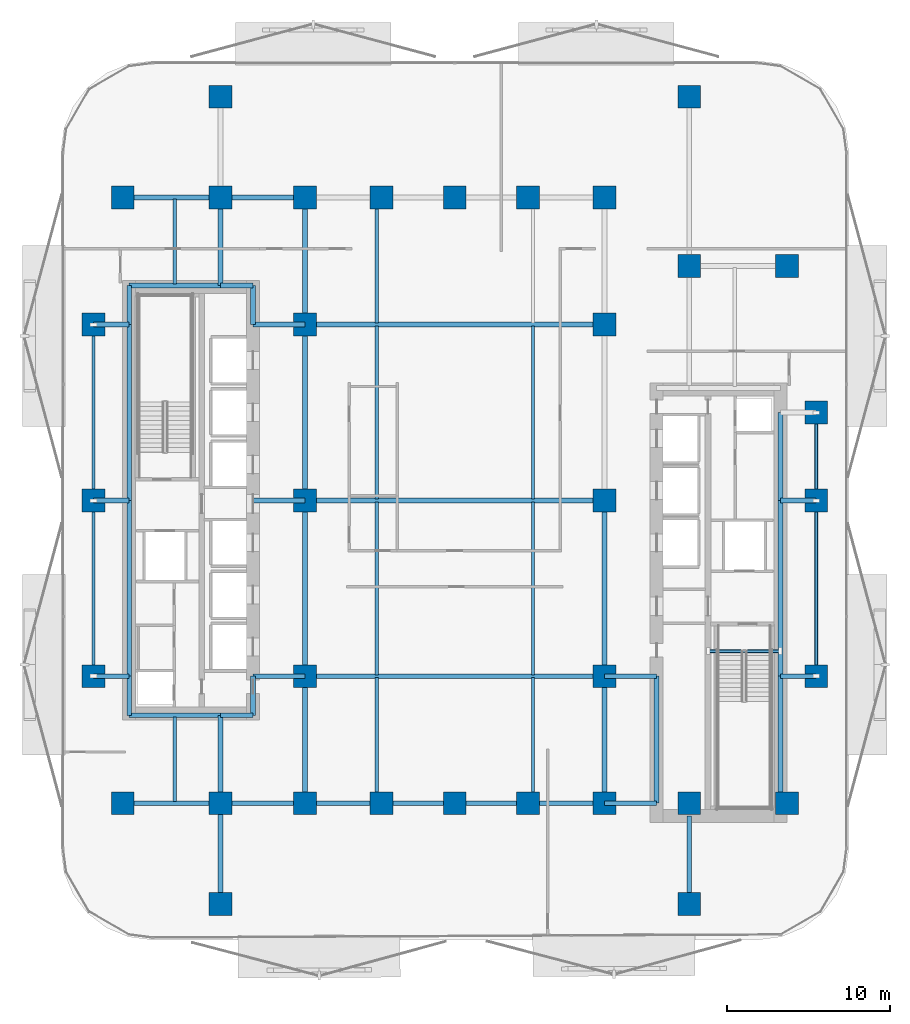
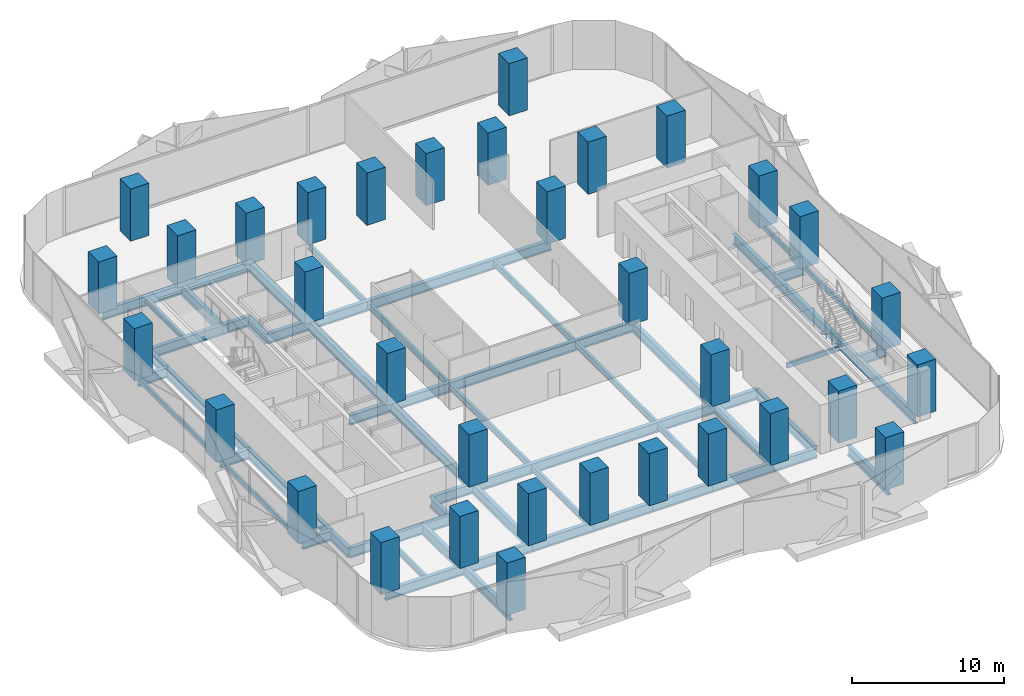
# One storey, part 1 of 15: 59 beams, 34 columns.
"""IFC4 building model written with IfcOpenShell, lengths in metres."""

import ifcopenshell
import ifcopenshell.guid

model = None  # the IFC model being written
_history = None  # IfcOwnerHistory: only IFC2X3 demands one
_inside = {}  # id of a spatial element -> (the spatial element, [elements in it])
_under = {}  # id of a project, library or spatial element -> (it, [spatial elements below it])
_declared = {}  # id of a project -> (the project, [libraries it declares])
_typed = {}  # id of a type object -> (the type object, [elements of that type])
_made_of = {}  # id of a material, layer set ... -> (it, [elements and type objects made of it])


def new_model(schema):
    """Start an empty IFC model of exactly this schema.

    Asked for "IFC4X3", IfcOpenShell would pick the latest addendum, in which some entities
    have other attributes; the version numbers below select the first issue.
    IFC2X3 requires an IfcOwnerHistory on every rooted entity: one is made here for all.
    """
    global model, _history
    if schema == "IFC4X3":
        model = ifcopenshell.file(schema_version=(4, 3, 0, 0))
    else:
        model = ifcopenshell.file(schema=schema)
    _inside.clear()
    _under.clear()
    _declared.clear()
    _typed.clear()
    _made_of.clear()
    _history = None
    if model.schema == "IFC2X3":
        org = make("IfcOrganization", Name="unknown")
        user = make(
            "IfcPersonAndOrganization",
            ThePerson=make("IfcPerson", FamilyName="unknown"),
            TheOrganization=org,
        )
        app = make(
            "IfcApplication",
            ApplicationDeveloper=org,
            Version="unknown",
            ApplicationFullName="unknown",
            ApplicationIdentifier="unknown",
        )
        _history = make(
            "IfcOwnerHistory",
            OwningUser=user,
            OwningApplication=app,
            ChangeAction="ADDED",
            CreationDate=0,
        )
    return model


def make(cls, **values):
    """One entity of the class cls with the attributes given. An attribute that is None is left unset."""
    return model.create_entity(
        cls, **{name: value for name, value in values.items() if value is not None}
    )


def rooted(cls, **values):
    """An entity with a GlobalId (a new one), such as an element, a storey or a relation."""
    return make(cls, GlobalId=ifcopenshell.guid.new(), OwnerHistory=_history, **values)


def si_unit(unit_type, name, prefix=None):
    """IfcSIUnit, for example si_unit("LENGTHUNIT", "METRE", prefix="MILLI")."""
    return make("IfcSIUnit", UnitType=unit_type, Prefix=prefix, Name=name)


def assignment(units):
    """IfcUnitAssignment: the units of a project."""
    return None if units is None else make("IfcUnitAssignment", Units=units)


def point(xyz):
    """IfcCartesianPoint."""
    return None if xyz is None else make("IfcCartesianPoint", Coordinates=xyz)


def direction(xyz):
    """IfcDirection."""
    return None if xyz is None else make("IfcDirection", DirectionRatios=xyz)


def frame(location, z_axis=None, x_axis=None):
    """IfcAxis2Placement3D, a coordinate frame: its origin and axes. An axis left out is left unset."""
    return make(
        "IfcAxis2Placement3D",
        Location=point(location),
        Axis=direction(z_axis),
        RefDirection=direction(x_axis),
    )


def frame_2d(location, x_axis=None):
    """IfcAxis2Placement2D, a coordinate frame in the plane: its origin and x axis."""
    return make(
        "IfcAxis2Placement2D", Location=point(location), RefDirection=direction(x_axis)
    )


def origin():
    """The frame at (0, 0, 0) with its axes left unset."""
    return frame((0.0, 0.0, 0.0))


def origin_2d():
    """The frame at (0, 0) in the plane with its x axis left unset."""
    return frame_2d((0.0, 0.0))


def place(relative_to, where):
    """IfcLocalPlacement: puts the frame where relative to a parent placement (None: the world)."""
    return make(
        "IfcLocalPlacement", PlacementRelTo=relative_to, RelativePlacement=where
    )


def context(
    kind, dimensions, precision=None, world=None, true_north=None, identifier=None
):
    """IfcGeometricRepresentationContext, for example the 3D "Model" context."""
    return make(
        "IfcGeometricRepresentationContext",
        ContextIdentifier=identifier,
        ContextType=kind,
        CoordinateSpaceDimension=dimensions,
        Precision=precision,
        WorldCoordinateSystem=world,
        TrueNorth=true_north,
    )


def subcontext(parent, identifier, kind, view, scale=None):
    """IfcGeometricRepresentationSubContext, for example "Body" below "Model"."""
    return make(
        "IfcGeometricRepresentationSubContext",
        ContextIdentifier=identifier,
        ContextType=kind,
        ParentContext=parent,
        TargetScale=scale,
        TargetView=view,
    )


def project(units=None, contexts=None):
    """IfcProject with its units and contexts."""
    return rooted(
        "IfcProject",
        Name="project",
        RepresentationContexts=contexts,
        UnitsInContext=assignment(units),
    )


def spatial(cls, under=None, at=None, **own):
    """A site, building, storey or space (cls), placed at a placement, below another one or the project."""
    s = rooted(cls, ObjectPlacement=at, **own)
    if under is not None:
        _under.setdefault(under.id(), (under, []))[1].append(s)
    return s


def profile(cls, at=None, kind="AREA", **sizes):
    """A parametric profile (cls). Its sizes go by their IFC names, for example OverallWidth=200.0."""
    return make(cls, ProfileType=kind, Position=at, **sizes)


def rectangle(**sizes):
    """IfcRectangleProfileDef."""
    return profile("IfcRectangleProfileDef", **sizes)


def hollow_rectangle(**sizes):
    """IfcRectangleHollowProfileDef."""
    return profile("IfcRectangleHollowProfileDef", **sizes)


def i_section(**sizes):
    """IfcIShapeProfileDef."""
    return profile("IfcIShapeProfileDef", **sizes)


def extrude(swept, where, along, depth):
    """IfcExtrudedAreaSolid: the profile swept, set in the frame where, extruded along a direction by depth."""
    return make(
        "IfcExtrudedAreaSolid",
        SweptArea=swept,
        Position=where,
        ExtrudedDirection=direction(along),
        Depth=depth,
    )


def shape(context_of_items, identifier, shape_type, items):
    """IfcShapeRepresentation: the items that make up one representation, for example the "Body"."""
    return make(
        "IfcShapeRepresentation",
        ContextOfItems=context_of_items,
        RepresentationIdentifier=identifier,
        RepresentationType=shape_type,
        Items=items,
    )


def material(Name=None, Category=None):
    """IfcMaterial."""
    return make("IfcMaterial", Name=Name, Category=Category)


def material_profile(
    of_material, cross_section, Name=None, Category=None, Priority=None
):
    """IfcMaterialProfile: a cross section and its material."""
    return make(
        "IfcMaterialProfile",
        Name=Name,
        Material=of_material,
        Profile=cross_section,
        Priority=Priority,
        Category=Category,
    )


def profile_set(profiles, Name=None, composite=None):
    """IfcMaterialProfileSet."""
    return make(
        "IfcMaterialProfileSet",
        Name=Name,
        MaterialProfiles=profiles,
        CompositeProfile=composite,
    )


def made_of(thing, what):
    """Note that an element or type object is made of a material, layer set ...; save() writes the relation."""
    if what is not None:
        _made_of.setdefault(what.id(), (what, []))[1].append(thing)
    return thing


def type_object(cls, material=None, **own):
    """A type object (cls), such as IfcWallType, which elements share."""
    return made_of(rooted(cls, **own), material)


def element(
    cls,
    number,
    at=None,
    inside=None,
    cuts=None,
    type_object=None,
    material=None,
    context=None,
    identifier="Body",
    shape_type=None,
    held_by="IfcProductDefinitionShape",
    body=None,
    shapes=None,
    **own,
):
    """One element of the class cls, such as IfcWall. Its Tag is "e" and its number.

    at: its placement. inside: the storey or other place that contains it. cuts: it is an
    opening in that element (IfcRelVoidsElement). A single representation is given by context,
    identifier, shape_type and body (its items); several are given by shapes. held_by: the class
    of the entity that holds the representations. save() writes the other relations.
    """
    e = rooted(cls, Tag="e%d" % number, ObjectPlacement=at, **own)
    if body is not None:
        shapes = [shape(context, identifier, shape_type, body)]
    if shapes is not None:
        e.Representation = make(held_by, Representations=shapes)
    if inside is not None:
        _inside.setdefault(inside.id(), (inside, []))[1].append(e)
    if cuts is not None:
        rooted(
            "IfcRelVoidsElement", RelatingBuildingElement=cuts, RelatedOpeningElement=e
        )
    if type_object is not None:
        _typed.setdefault(type_object.id(), (type_object, []))[1].append(e)
    return made_of(e, material)


def aggregate(whole, parts):
    """IfcRelAggregates: a whole, such as a stair, and the parts it consists of."""
    return rooted("IfcRelAggregates", RelatingObject=whole, RelatedObjects=parts)


def save(model, path):
    """Write the relations noted so far, then the file.

    IfcRelAggregates (storeys below a building ...), IfcRelContainedInSpatialStructure (elements
    in a storey), IfcRelDefinesByType, IfcRelAssociatesMaterial and IfcRelDeclares: one each for
    every whole, place, type object, material and project.
    """
    for whole, parts in _under.values():
        aggregate(whole, parts)
    for where, things in _inside.values():
        rooted(
            "IfcRelContainedInSpatialStructure",
            RelatedElements=things,
            RelatingStructure=where,
        )
    for kind, things in _typed.values():
        rooted("IfcRelDefinesByType", RelatedObjects=things, RelatingType=kind)
    for what, things in _made_of.values():
        rooted("IfcRelAssociatesMaterial", RelatedObjects=things, RelatingMaterial=what)
    for by, libraries in _declared.values():
        rooted("IfcRelDeclares", RelatingContext=by, RelatedDefinitions=libraries)
    model.write(path)


model = new_model("IFC4")

# Units and contexts
model_context = context("Model", 3, precision=1e-05, world=origin(), true_north=direction((0.0, 1.0)))
body_context = subcontext(model_context, "Body", "Model", "MODEL_VIEW")
ifc_project = project(units=[si_unit("LENGTHUNIT", "METRE"), si_unit("AREAUNIT", "SQUARE_METRE"), si_unit("VOLUMEUNIT", "CUBIC_METRE"), si_unit("PLANEANGLEUNIT", "RADIAN"), si_unit("MASSUNIT", "GRAM", prefix="KILO")], contexts=[model_context])

# Site, building, storey
site_placement = place(None, origin())
site = spatial("IfcSite", under=ifc_project, at=site_placement, CompositionType="ELEMENT")
building_placement = place(site_placement, origin())
building = spatial("IfcBuilding", under=site, at=building_placement, Name="Khairoan Windgate Tower", CompositionType="ELEMENT")
storey_placement = place(building_placement, frame((0.0, 0.0, 30.199951171875)))
storey = spatial("IfcBuildingStorey", under=building, at=storey_placement, Name="L07", CompositionType="ELEMENT", Elevation=30.199951171875)

# Columns
ifc_material_1 = material(Name="Concrete C60/75", Category="concrete")
ifc_material_profile_1 = material_profile(ifc_material_1, rectangle(XDim=1.39990234375, YDim=1.39990234375, at=origin_2d()))
ifc_profile_set_1 = profile_set([ifc_material_profile_1], Name="Concrete C60/75")
column_type = type_object("IfcColumnType", Name="Column C-T2 RC1400x1400", PredefinedType="COLUMN", material=ifc_profile_set_1)
for number, where, z_axis, x_axis, name in (
    (1, (-9.199951171875, -18.60009765625, 0.0), (0.0, 0.0, 1.0), (1.0, 0.0, 0.0), "Column L07-01"),
    (2, (-9.199951171875, -10.800048828125, 0.0), (0.0, 0.0, 1.0), (1.0, 0.0, 0.0), "Column L07-02"),
    (3, (-9.199951171875, 0.0, 0.0), (0.0, 0.0, 1.0), (1.0, 0.0, 0.0), "Column L07-03"),
    (4, (-9.199951171875, 10.800048828125, 0.0), (0.0, 0.0, 1.0), (1.0, 0.0, 0.0), "Column L07-04"),
    (5, (-9.199951171875, 18.60009765625, 0.0), (0.0, 0.0, 1.0), (1.0, 0.0, 0.0), "Column L07-05"),
    (6, (9.199951171875, -18.60009765625, 0.0), (0.0, 0.0, 1.0), (1.0, 0.0, 0.0), "Column L07-06"),
    (7, (9.199951171875, -10.800048828125, 0.0), (0.0, 0.0, 1.0), (1.0, 0.0, 0.0), "Column L07-07"),
    (8, (9.199951171875, 0.0, 0.0), (0.0, 0.0, 1.0), (1.0, 0.0, 0.0), "Column L07-08"),
    (9, (9.199951171875, 10.800048828125, 0.0), (0.0, 0.0, 1.0), (1.0, 0.0, 0.0), "Column L07-09"),
    (10, (9.199951171875, 18.60009765625, 0.0), (0.0, 0.0, 1.0), (1.0, 0.0, 0.0), "Column L07-10"),
    (11, (-20.39990234375, -18.60009765625, 0.0), (0.0, 0.0, 1.0), (1.0, 0.0, 0.0), "Column L07-11"),
    (12, (-20.39990234375, 18.60009765625, 0.0), (0.0, 0.0, 1.0), (1.0, 0.0, 0.0), "Column L07-12"),
    (13, (20.39990234375, -18.60009765625, 0.0), (0.0, 0.0, 1.0), (1.0, 0.0, 0.0), "Column L07-13"),
    (14, (20.39990234375, 14.39990234375, 0.0), (0.0, 0.0, 1.0), (1.0, 0.0, 0.0), "Column L07-14"),
    (15, (-14.39990234375, -18.60009765625, 0.0), (0.0, 0.0, 1.0), (1.0, 0.0, 0.0), "Column L07-15"),
    (16, (-14.39990234375, 18.60009765625, 0.0), (0.0, 0.0, 1.0), (1.0, 0.0, 0.0), "Column L07-16"),
    (17, (14.39990234375, -18.60009765625, 0.0), (0.0, 0.0, 1.0), (1.0, 0.0, 0.0), "Column L07-17"),
    (18, (14.39990234375, 14.39990234375, 0.0), (0.0, 0.0, 1.0), (1.0, 0.0, 0.0), "Column L07-18"),
    (19, (-4.5, -18.60009765625, 0.0), (0.0, 0.0, 1.0), (1.0, 0.0, 0.0), "Column L07-19"),
    (20, (0.0, -18.60009765625, 0.0), (0.0, 0.0, 1.0), (1.0, 0.0, 0.0), "Column L07-20"),
    (21, (4.5, -18.60009765625, 0.0), (0.0, 0.0, 1.0), (1.0, 0.0, 0.0), "Column L07-21"),
    (22, (-4.5, 18.60009765625, 0.0), (0.0, 0.0, 1.0), (1.0, 0.0, 0.0), "Column L07-22"),
    (23, (0.0, 18.60009765625, 0.0), (0.0, 0.0, 1.0), (1.0, 0.0, 0.0), "Column L07-23"),
    (24, (4.5, 18.60009765625, 0.0), (0.0, 0.0, 1.0), (1.0, 0.0, 0.0), "Column L07-24"),
    (25, (-22.199951171875, -10.800048828125, 0.0), (0.0, 0.0, 1.0), (1.0, 0.0, 0.0), "Column L07-25"),
    (26, (-22.199951171875, 0.0, 0.0), (0.0, 0.0, 1.0), (1.0, 0.0, 0.0), "Column L07-26"),
    (27, (-22.199951171875, 10.800048828125, 0.0), (0.0, 0.0, 1.0), (1.0, 0.0, 0.0), "Column L07-27"),
    (28, (22.199951171875, -10.800048828125, 0.0), (0.0, 0.0, 1.0), (1.0, 0.0, 0.0), "Column L07-28"),
    (29, (22.199951171875, 0.0, 0.0), (0.0, 0.0, 1.0), (1.0, 0.0, 0.0), "Column L07-29"),
    (30, (22.199951171875, 5.39990234375, 0.0), (0.0, 0.0, 1.0), (1.0, 0.0, 0.0), "Column L07-30"),
    (31, (-14.39990234375, -24.800048828125, 0.0), (0.0, 0.0, 1.0), (1.0, 0.0, 0.0), "Column L07-31"),
    (32, (-14.39990234375, 24.800048828125, 0.0), (0.0, 0.0, 1.0), (1.0, 0.0, 0.0), "Column L07-32"),
    (33, (14.39990234375, -24.800048828125, 0.0), (0.0, 0.0, 1.0), (1.0, 0.0, 0.0), "Column L07-33"),
    (34, (14.39990234375, 24.800048828125, 0.0), (0.0, 0.0, 1.0), (1.0, 0.0, 0.0), "Column L07-34"),
):
    element("IfcColumn", number, at=place(storey_placement, frame(where, z_axis=z_axis, x_axis=x_axis)), inside=storey, type_object=column_type, Name=name, PredefinedType="COLUMN", context=body_context, shape_type="SweptSolid", body=[
        extrude(rectangle(XDim=1.39990234375, YDim=1.39990234375, at=origin_2d()), origin(), (0.0, 0.0, 1.0), 4.199951171875),
    ])

# Beams
ifc_material_2 = material(Name="Steel S355", Category="steel")
ifc_material_profile_2 = material_profile(ifc_material_2, i_section(OverallWidth=0.300048828125, OverallDepth=0.800048828125, WebThickness=0.013916015625, FlangeThickness=0.02587890625, FilletRadius=0.028076171875, at=origin_2d()))
ifc_profile_set_2 = profile_set([ifc_material_profile_2], Name="Steel S355")
beam_type_1 = type_object("IfcBeamType", Name="Beam B-G2 H800x300x14x26", PredefinedType="BEAM", material=ifc_profile_set_2)
beam_1_placement = place(storey_placement, frame((-20.39990234375, -18.60009765625, -0.659912109375), z_axis=(1.0, 0.0, 0.0), x_axis=(0.0, 1.0, 0.0)))
element("IfcBeam", 35, at=beam_1_placement, inside=storey, type_object=beam_type_1, Name="L07 E-W Primary Girder 01", PredefinedType="BEAM", context=body_context, shape_type="SweptSolid", body=[
    extrude(i_section(OverallWidth=0.300048828125, OverallDepth=0.800048828125, WebThickness=0.013916015625, FlangeThickness=0.02587890625, FilletRadius=0.028076171875, at=origin_2d()), origin(), (0.0, 0.0, 1.0), 6.0),
])
beam_2_placement = place(storey_placement, frame((-14.39990234375, -18.60009765625, -0.659912109375), z_axis=(1.0, 0.0, 0.0), x_axis=(0.0, 1.0, 0.0)))
element("IfcBeam", 36, at=beam_2_placement, inside=storey, type_object=beam_type_1, Name="L07 E-W Primary Girder 02", PredefinedType="BEAM", context=body_context, shape_type="SweptSolid", body=[
    extrude(i_section(OverallWidth=0.300048828125, OverallDepth=0.800048828125, WebThickness=0.013916015625, FlangeThickness=0.02587890625, FilletRadius=0.028076171875, at=origin_2d()), origin(), (0.0, 0.0, 1.0), 5.199951171875),
])
beam_3_placement = place(storey_placement, frame((-9.199951171875, -18.60009765625, -0.659912109375), z_axis=(1.0, 0.0, 0.0), x_axis=(0.0, 1.0, 0.0)))
element("IfcBeam", 37, at=beam_3_placement, inside=storey, type_object=beam_type_1, Name="L07 E-W Primary Girder 03", PredefinedType="BEAM", context=body_context, shape_type="SweptSolid", body=[
    extrude(i_section(OverallWidth=0.300048828125, OverallDepth=0.800048828125, WebThickness=0.013916015625, FlangeThickness=0.02587890625, FilletRadius=0.028076171875, at=origin_2d()), origin(), (0.0, 0.0, 1.0), 4.699951171875),
])
for number, where, z_axis, x_axis, name in (
    (38, (-4.5, -18.60009765625, -0.659912109375), (1.0, 0.0, 0.0), (0.0, 1.0, 0.0), "L07 E-W Primary Girder 04"),
    (39, (0.0, -18.60009765625, -0.659912109375), (1.0, 0.0, 0.0), (0.0, 1.0, 0.0), "L07 E-W Primary Girder 05"),
):
    element("IfcBeam", number, at=place(storey_placement, frame(where, z_axis=z_axis, x_axis=x_axis)), inside=storey, type_object=beam_type_1, Name=name, PredefinedType="BEAM", context=body_context, shape_type="SweptSolid", body=[
        extrude(i_section(OverallWidth=0.300048828125, OverallDepth=0.800048828125, WebThickness=0.013916015625, FlangeThickness=0.02587890625, FilletRadius=0.028076171875, at=origin_2d()), origin(), (0.0, 0.0, 1.0), 4.5),
    ])
beam_4_placement = place(storey_placement, frame((4.5, -18.60009765625, -0.659912109375), z_axis=(1.0, 0.0, 0.0), x_axis=(0.0, 1.0, 0.0)))
element("IfcBeam", 40, at=beam_4_placement, inside=storey, type_object=beam_type_1, Name="L07 E-W Primary Girder 06", PredefinedType="BEAM", context=body_context, shape_type="SweptSolid", body=[
    extrude(i_section(OverallWidth=0.300048828125, OverallDepth=0.800048828125, WebThickness=0.013916015625, FlangeThickness=0.02587890625, FilletRadius=0.028076171875, at=origin_2d()), origin(), (0.0, 0.0, 1.0), 4.699951171875),
])
beam_5_placement = place(storey_placement, frame((9.199951171875, -18.60009765625, -0.659912109375), z_axis=(1.0, 0.0, 0.0), x_axis=(0.0, 1.0, 0.0)))
element("IfcBeam", 41, at=beam_5_placement, inside=storey, type_object=beam_type_1, Name="L07 E-W Primary Girder 07", PredefinedType="BEAM", context=body_context, shape_type="SweptSolid", body=[
    extrude(i_section(OverallWidth=0.300048828125, OverallDepth=0.800048828125, WebThickness=0.013916015625, FlangeThickness=0.02587890625, FilletRadius=0.028076171875, at=origin_2d()), origin(), (0.0, 0.0, 1.0), 3.199951171875),
])
beam_6_placement = place(storey_placement, frame((-20.0, -13.199951171875, -0.659912109375), z_axis=(1.0, 0.0, 0.0), x_axis=(0.0, 1.0, 0.0)))
element("IfcBeam", 42, at=beam_6_placement, inside=storey, type_object=beam_type_1, Name="L07 E-W Primary Girder 08", PredefinedType="BEAM", context=body_context, shape_type="SweptSolid", body=[
    extrude(i_section(OverallWidth=0.300048828125, OverallDepth=0.800048828125, WebThickness=0.013916015625, FlangeThickness=0.02587890625, FilletRadius=0.028076171875, at=origin_2d()), origin(), (0.0, 0.0, 1.0), 5.60009765625),
])
beam_7_placement = place(storey_placement, frame((-14.39990234375, -13.199951171875, -0.659912109375), z_axis=(1.0, 0.0, 0.0), x_axis=(0.0, 1.0, 0.0)))
element("IfcBeam", 43, at=beam_7_placement, inside=storey, type_object=beam_type_1, Name="L07 E-W Primary Girder 09", PredefinedType="BEAM", context=body_context, shape_type="SweptSolid", body=[
    extrude(i_section(OverallWidth=0.300048828125, OverallDepth=0.800048828125, WebThickness=0.013916015625, FlangeThickness=0.02587890625, FilletRadius=0.028076171875, at=origin_2d()), origin(), (0.0, 0.0, 1.0), 2.0),
])
beam_8_placement = place(storey_placement, frame((-22.199951171875, -10.800048828125, -0.659912109375), z_axis=(1.0, 0.0, 0.0), x_axis=(0.0, 1.0, 0.0)))
element("IfcBeam", 44, at=beam_8_placement, inside=storey, type_object=beam_type_1, Name="L07 E-W Primary Girder 10", PredefinedType="BEAM", context=body_context, shape_type="SweptSolid", body=[
    extrude(i_section(OverallWidth=0.300048828125, OverallDepth=0.800048828125, WebThickness=0.013916015625, FlangeThickness=0.02587890625, FilletRadius=0.028076171875, at=origin_2d()), origin(), (0.0, 0.0, 1.0), 2.199951171875),
])
beam_9_placement = place(storey_placement, frame((-12.39990234375, -10.800048828125, -0.659912109375), z_axis=(1.0, 0.0, 0.0), x_axis=(0.0, 1.0, 0.0)))
element("IfcBeam", 45, at=beam_9_placement, inside=storey, type_object=beam_type_1, Name="L07 E-W Primary Girder 11", PredefinedType="BEAM", context=body_context, shape_type="SweptSolid", body=[
    extrude(i_section(OverallWidth=0.300048828125, OverallDepth=0.800048828125, WebThickness=0.013916015625, FlangeThickness=0.02587890625, FilletRadius=0.028076171875, at=origin_2d()), origin(), (0.0, 0.0, 1.0), 3.199951171875),
])
beam_10_placement = place(storey_placement, frame((-9.199951171875, -10.800048828125, -0.659912109375), z_axis=(1.0, 0.0, 0.0), x_axis=(0.0, 1.0, 0.0)))
element("IfcBeam", 46, at=beam_10_placement, inside=storey, type_object=beam_type_1, Name="L07 E-W Primary Girder 12", PredefinedType="BEAM", context=body_context, shape_type="SweptSolid", body=[
    extrude(i_section(OverallWidth=0.300048828125, OverallDepth=0.800048828125, WebThickness=0.013916015625, FlangeThickness=0.02587890625, FilletRadius=0.028076171875, at=origin_2d()), origin(), (0.0, 0.0, 1.0), 18.39990234375),
])
beam_11_placement = place(storey_placement, frame((9.199951171875, -10.800048828125, -0.659912109375), z_axis=(1.0, 0.0, 0.0), x_axis=(0.0, 1.0, 0.0)))
element("IfcBeam", 47, at=beam_11_placement, inside=storey, type_object=beam_type_1, Name="L07 E-W Primary Girder 13", PredefinedType="BEAM", context=body_context, shape_type="SweptSolid", body=[
    extrude(i_section(OverallWidth=0.300048828125, OverallDepth=0.800048828125, WebThickness=0.013916015625, FlangeThickness=0.02587890625, FilletRadius=0.028076171875, at=origin_2d()), origin(), (0.0, 0.0, 1.0), 3.199951171875),
])
for number, where, z_axis, x_axis, name in (
    (48, (20.0, -10.800048828125, -0.659912109375), (1.0, 0.0, 0.0), (0.0, 1.0, 0.0), "L07 E-W Primary Girder 14"),
    (49, (-22.199951171875, 0.0, -0.659912109375), (1.0, 0.0, 0.0), (0.0, 1.0, 0.0), "L07 E-W Primary Girder 15"),
):
    element("IfcBeam", number, at=place(storey_placement, frame(where, z_axis=z_axis, x_axis=x_axis)), inside=storey, type_object=beam_type_1, Name=name, PredefinedType="BEAM", context=body_context, shape_type="SweptSolid", body=[
        extrude(i_section(OverallWidth=0.300048828125, OverallDepth=0.800048828125, WebThickness=0.013916015625, FlangeThickness=0.02587890625, FilletRadius=0.028076171875, at=origin_2d()), origin(), (0.0, 0.0, 1.0), 2.199951171875),
    ])
beam_12_placement = place(storey_placement, frame((-12.39990234375, 0.0, -0.659912109375), z_axis=(1.0, 0.0, 0.0), x_axis=(0.0, 1.0, 0.0)))
element("IfcBeam", 50, at=beam_12_placement, inside=storey, type_object=beam_type_1, Name="L07 E-W Primary Girder 16", PredefinedType="BEAM", context=body_context, shape_type="SweptSolid", body=[
    extrude(i_section(OverallWidth=0.300048828125, OverallDepth=0.800048828125, WebThickness=0.013916015625, FlangeThickness=0.02587890625, FilletRadius=0.028076171875, at=origin_2d()), origin(), (0.0, 0.0, 1.0), 3.199951171875),
])
beam_13_placement = place(storey_placement, frame((-9.199951171875, 0.0, -0.659912109375), z_axis=(1.0, 0.0, 0.0), x_axis=(0.0, 1.0, 0.0)))
element("IfcBeam", 51, at=beam_13_placement, inside=storey, type_object=beam_type_1, Name="L07 E-W Primary Girder 17", PredefinedType="BEAM", context=body_context, shape_type="SweptSolid", body=[
    extrude(i_section(OverallWidth=0.300048828125, OverallDepth=0.800048828125, WebThickness=0.013916015625, FlangeThickness=0.02587890625, FilletRadius=0.028076171875, at=origin_2d()), origin(), (0.0, 0.0, 1.0), 18.39990234375),
])
for number, where, z_axis, x_axis, name in (
    (52, (20.0, 0.0, -0.659912109375), (1.0, 0.0, 0.0), (0.0, 1.0, 0.0), "L07 E-W Primary Girder 18"),
    (53, (-22.199951171875, 10.800048828125, -0.659912109375), (1.0, 0.0, 0.0), (0.0, 1.0, 0.0), "L07 E-W Primary Girder 22"),
):
    element("IfcBeam", number, at=place(storey_placement, frame(where, z_axis=z_axis, x_axis=x_axis)), inside=storey, type_object=beam_type_1, Name=name, PredefinedType="BEAM", context=body_context, shape_type="SweptSolid", body=[
        extrude(i_section(OverallWidth=0.300048828125, OverallDepth=0.800048828125, WebThickness=0.013916015625, FlangeThickness=0.02587890625, FilletRadius=0.028076171875, at=origin_2d()), origin(), (0.0, 0.0, 1.0), 2.199951171875),
    ])
beam_14_placement = place(storey_placement, frame((-12.39990234375, 10.800048828125, -0.659912109375), z_axis=(1.0, 0.0, 0.0), x_axis=(0.0, 1.0, 0.0)))
element("IfcBeam", 54, at=beam_14_placement, inside=storey, type_object=beam_type_1, Name="L07 E-W Primary Girder 23", PredefinedType="BEAM", context=body_context, shape_type="SweptSolid", body=[
    extrude(i_section(OverallWidth=0.300048828125, OverallDepth=0.800048828125, WebThickness=0.013916015625, FlangeThickness=0.02587890625, FilletRadius=0.028076171875, at=origin_2d()), origin(), (0.0, 0.0, 1.0), 3.199951171875),
])
beam_15_placement = place(storey_placement, frame((-9.199951171875, 10.800048828125, -0.659912109375), z_axis=(1.0, 0.0, 0.0), x_axis=(0.0, 1.0, 0.0)))
element("IfcBeam", 55, at=beam_15_placement, inside=storey, type_object=beam_type_1, Name="L07 E-W Primary Girder 24", PredefinedType="BEAM", context=body_context, shape_type="SweptSolid", body=[
    extrude(i_section(OverallWidth=0.300048828125, OverallDepth=0.800048828125, WebThickness=0.013916015625, FlangeThickness=0.02587890625, FilletRadius=0.028076171875, at=origin_2d()), origin(), (0.0, 0.0, 1.0), 18.39990234375),
])
beam_16_placement = place(storey_placement, frame((-20.0, 13.199951171875, -0.659912109375), z_axis=(1.0, 0.0, 0.0), x_axis=(0.0, 1.0, 0.0)))
element("IfcBeam", 56, at=beam_16_placement, inside=storey, type_object=beam_type_1, Name="L07 E-W Primary Girder 25", PredefinedType="BEAM", context=body_context, shape_type="SweptSolid", body=[
    extrude(i_section(OverallWidth=0.300048828125, OverallDepth=0.800048828125, WebThickness=0.013916015625, FlangeThickness=0.02587890625, FilletRadius=0.028076171875, at=origin_2d()), origin(), (0.0, 0.0, 1.0), 5.60009765625),
])
beam_17_placement = place(storey_placement, frame((-14.39990234375, 13.199951171875, -0.659912109375), z_axis=(1.0, 0.0, 0.0), x_axis=(0.0, 1.0, 0.0)))
element("IfcBeam", 57, at=beam_17_placement, inside=storey, type_object=beam_type_1, Name="L07 E-W Primary Girder 26", PredefinedType="BEAM", context=body_context, shape_type="SweptSolid", body=[
    extrude(i_section(OverallWidth=0.300048828125, OverallDepth=0.800048828125, WebThickness=0.013916015625, FlangeThickness=0.02587890625, FilletRadius=0.028076171875, at=origin_2d()), origin(), (0.0, 0.0, 1.0), 2.0),
])
beam_18_placement = place(storey_placement, frame((-20.39990234375, 18.60009765625, -0.659912109375), z_axis=(1.0, 0.0, 0.0), x_axis=(0.0, 1.0, 0.0)))
element("IfcBeam", 58, at=beam_18_placement, inside=storey, type_object=beam_type_1, Name="L07 E-W Primary Girder 28", PredefinedType="BEAM", context=body_context, shape_type="SweptSolid", body=[
    extrude(i_section(OverallWidth=0.300048828125, OverallDepth=0.800048828125, WebThickness=0.013916015625, FlangeThickness=0.02587890625, FilletRadius=0.028076171875, at=origin_2d()), origin(), (0.0, 0.0, 1.0), 6.0),
])
beam_19_placement = place(storey_placement, frame((-14.39990234375, 18.60009765625, -0.659912109375), z_axis=(1.0, 0.0, 0.0), x_axis=(0.0, 1.0, 0.0)))
element("IfcBeam", 59, at=beam_19_placement, inside=storey, type_object=beam_type_1, Name="L07 E-W Primary Girder 29", PredefinedType="BEAM", context=body_context, shape_type="SweptSolid", body=[
    extrude(i_section(OverallWidth=0.300048828125, OverallDepth=0.800048828125, WebThickness=0.013916015625, FlangeThickness=0.02587890625, FilletRadius=0.028076171875, at=origin_2d()), origin(), (0.0, 0.0, 1.0), 5.199951171875),
])
beam_20_placement = place(storey_placement, frame((-20.0, -13.199951171875, -0.659912109375), z_axis=(0.0, 1.0, 0.0), x_axis=(-1.0, 0.0, 0.0)))
element("IfcBeam", 60, at=beam_20_placement, inside=storey, type_object=beam_type_1, Name="L07 N-S Primary Beam 36", PredefinedType="BEAM", context=body_context, shape_type="SweptSolid", body=[
    extrude(i_section(OverallWidth=0.300048828125, OverallDepth=0.800048828125, WebThickness=0.013916015625, FlangeThickness=0.02587890625, FilletRadius=0.028076171875, at=origin_2d()), origin(), (0.0, 0.0, 1.0), 2.39990234375),
])
for number, where, z_axis, x_axis, name in (
    (61, (-20.0, -10.800048828125, -0.659912109375), (0.0, 1.0, 0.0), (-1.0, 0.0, 0.0), "L07 N-S Primary Beam 37"),
    (62, (-20.0, 0.0, -0.659912109375), (0.0, 1.0, 0.0), (-1.0, 0.0, 0.0), "L07 N-S Primary Beam 38"),
):
    element("IfcBeam", number, at=place(storey_placement, frame(where, z_axis=z_axis, x_axis=x_axis)), inside=storey, type_object=beam_type_1, Name=name, PredefinedType="BEAM", context=body_context, shape_type="SweptSolid", body=[
        extrude(i_section(OverallWidth=0.300048828125, OverallDepth=0.800048828125, WebThickness=0.013916015625, FlangeThickness=0.02587890625, FilletRadius=0.028076171875, at=origin_2d()), origin(), (0.0, 0.0, 1.0), 10.800048828125),
    ])
beam_21_placement = place(storey_placement, frame((-20.0, 10.800048828125, -0.659912109375), z_axis=(0.0, 1.0, 0.0), x_axis=(-1.0, 0.0, 0.0)))
element("IfcBeam", 63, at=beam_21_placement, inside=storey, type_object=beam_type_1, Name="L07 N-S Primary Beam 39", PredefinedType="BEAM", context=body_context, shape_type="SweptSolid", body=[
    extrude(i_section(OverallWidth=0.300048828125, OverallDepth=0.800048828125, WebThickness=0.013916015625, FlangeThickness=0.02587890625, FilletRadius=0.028076171875, at=origin_2d()), origin(), (0.0, 0.0, 1.0), 2.39990234375),
])
beam_22_placement = place(storey_placement, frame((-14.39990234375, -24.800048828125, -0.659912109375), z_axis=(0.0, 1.0, 0.0), x_axis=(-1.0, 0.0, 0.0)))
element("IfcBeam", 64, at=beam_22_placement, inside=storey, type_object=beam_type_1, Name="L07 N-S Primary Beam 40", PredefinedType="BEAM", context=body_context, shape_type="SweptSolid", body=[
    extrude(i_section(OverallWidth=0.300048828125, OverallDepth=0.800048828125, WebThickness=0.013916015625, FlangeThickness=0.02587890625, FilletRadius=0.028076171875, at=origin_2d()), origin(), (0.0, 0.0, 1.0), 6.199951171875),
])
for number, where, z_axis, x_axis, name in (
    (65, (-14.39990234375, -18.60009765625, -0.659912109375), (0.0, 1.0, 0.0), (-1.0, 0.0, 0.0), "L07 N-S Primary Beam 41"),
    (66, (-14.39990234375, 13.199951171875, -0.659912109375), (0.0, 1.0, 0.0), (-1.0, 0.0, 0.0), "L07 N-S Primary Beam 42"),
):
    element("IfcBeam", number, at=place(storey_placement, frame(where, z_axis=z_axis, x_axis=x_axis)), inside=storey, type_object=beam_type_1, Name=name, PredefinedType="BEAM", context=body_context, shape_type="SweptSolid", body=[
        extrude(i_section(OverallWidth=0.300048828125, OverallDepth=0.800048828125, WebThickness=0.013916015625, FlangeThickness=0.02587890625, FilletRadius=0.028076171875, at=origin_2d()), origin(), (0.0, 0.0, 1.0), 5.400146484375),
    ])
for number, where, z_axis, x_axis, name in (
    (67, (-12.39990234375, -13.199951171875, -0.659912109375), (0.0, 1.0, 0.0), (-1.0, 0.0, 0.0), "L07 N-S Primary Beam 44"),
    (68, (-12.39990234375, 10.800048828125, -0.659912109375), (0.0, 1.0, 0.0), (-1.0, 0.0, 0.0), "L07 N-S Primary Beam 45"),
):
    element("IfcBeam", number, at=place(storey_placement, frame(where, z_axis=z_axis, x_axis=x_axis)), inside=storey, type_object=beam_type_1, Name=name, PredefinedType="BEAM", context=body_context, shape_type="SweptSolid", body=[
        extrude(i_section(OverallWidth=0.300048828125, OverallDepth=0.800048828125, WebThickness=0.013916015625, FlangeThickness=0.02587890625, FilletRadius=0.028076171875, at=origin_2d()), origin(), (0.0, 0.0, 1.0), 2.39990234375),
    ])
beam_23_placement = place(storey_placement, frame((-9.199951171875, -18.60009765625, -0.659912109375), z_axis=(0.0, 1.0, 0.0), x_axis=(-1.0, 0.0, 0.0)))
element("IfcBeam", 69, at=beam_23_placement, inside=storey, type_object=beam_type_1, Name="L07 N-S Primary Beam 46", PredefinedType="BEAM", context=body_context, shape_type="SweptSolid", body=[
    extrude(i_section(OverallWidth=0.300048828125, OverallDepth=0.800048828125, WebThickness=0.013916015625, FlangeThickness=0.02587890625, FilletRadius=0.028076171875, at=origin_2d()), origin(), (0.0, 0.0, 1.0), 7.800048828125),
])
for number, where, z_axis, x_axis, name in (
    (70, (-9.199951171875, -10.800048828125, -0.659912109375), (0.0, 1.0, 0.0), (-1.0, 0.0, 0.0), "L07 N-S Primary Beam 47"),
    (71, (-9.199951171875, 0.0, -0.659912109375), (0.0, 1.0, 0.0), (-1.0, 0.0, 0.0), "L07 N-S Primary Beam 48"),
):
    element("IfcBeam", number, at=place(storey_placement, frame(where, z_axis=z_axis, x_axis=x_axis)), inside=storey, type_object=beam_type_1, Name=name, PredefinedType="BEAM", context=body_context, shape_type="SweptSolid", body=[
        extrude(i_section(OverallWidth=0.300048828125, OverallDepth=0.800048828125, WebThickness=0.013916015625, FlangeThickness=0.02587890625, FilletRadius=0.028076171875, at=origin_2d()), origin(), (0.0, 0.0, 1.0), 10.800048828125),
    ])
for number, where, z_axis, x_axis, name in (
    (72, (-9.199951171875, 10.800048828125, -0.659912109375), (0.0, 1.0, 0.0), (-1.0, 0.0, 0.0), "L07 N-S Primary Beam 49"),
    (73, (9.199951171875, -18.60009765625, -0.659912109375), (0.0, 1.0, 0.0), (-1.0, 0.0, 0.0), "L07 N-S Primary Beam 50"),
):
    element("IfcBeam", number, at=place(storey_placement, frame(where, z_axis=z_axis, x_axis=x_axis)), inside=storey, type_object=beam_type_1, Name=name, PredefinedType="BEAM", context=body_context, shape_type="SweptSolid", body=[
        extrude(i_section(OverallWidth=0.300048828125, OverallDepth=0.800048828125, WebThickness=0.013916015625, FlangeThickness=0.02587890625, FilletRadius=0.028076171875, at=origin_2d()), origin(), (0.0, 0.0, 1.0), 7.800048828125),
    ])
beam_24_placement = place(storey_placement, frame((9.199951171875, -10.800048828125, -0.659912109375), z_axis=(0.0, 1.0, 0.0), x_axis=(-1.0, 0.0, 0.0)))
element("IfcBeam", 74, at=beam_24_placement, inside=storey, type_object=beam_type_1, Name="L07 N-S Primary Beam 51", PredefinedType="BEAM", context=body_context, shape_type="SweptSolid", body=[
    extrude(i_section(OverallWidth=0.300048828125, OverallDepth=0.800048828125, WebThickness=0.013916015625, FlangeThickness=0.02587890625, FilletRadius=0.028076171875, at=origin_2d()), origin(), (0.0, 0.0, 1.0), 10.800048828125),
])
beam_25_placement = place(storey_placement, frame((12.39990234375, -18.60009765625, -0.659912109375), z_axis=(0.0, 1.0, 0.0), x_axis=(-1.0, 0.0, 0.0)))
element("IfcBeam", 75, at=beam_25_placement, inside=storey, type_object=beam_type_1, Name="L07 N-S Primary Beam 54", PredefinedType="BEAM", context=body_context, shape_type="SweptSolid", body=[
    extrude(i_section(OverallWidth=0.300048828125, OverallDepth=0.800048828125, WebThickness=0.013916015625, FlangeThickness=0.02587890625, FilletRadius=0.028076171875, at=origin_2d()), origin(), (0.0, 0.0, 1.0), 7.800048828125),
])
beam_26_placement = place(storey_placement, frame((14.39990234375, -24.800048828125, -0.659912109375), z_axis=(0.0, 1.0, 0.0), x_axis=(-1.0, 0.0, 0.0)))
element("IfcBeam", 76, at=beam_26_placement, inside=storey, type_object=beam_type_1, Name="L07 N-S Primary Beam 55", PredefinedType="BEAM", context=body_context, shape_type="SweptSolid", body=[
    extrude(i_section(OverallWidth=0.300048828125, OverallDepth=0.800048828125, WebThickness=0.013916015625, FlangeThickness=0.02587890625, FilletRadius=0.028076171875, at=origin_2d()), origin(), (0.0, 0.0, 1.0), 5.400146484375),
])
beam_27_placement = place(storey_placement, frame((20.0, -18.60009765625, -0.659912109375), z_axis=(0.0, 1.0, 0.0), x_axis=(-1.0, 0.0, 0.0)))
element("IfcBeam", 77, at=beam_27_placement, inside=storey, type_object=beam_type_1, Name="L07 N-S Primary Beam 58", PredefinedType="BEAM", context=body_context, shape_type="SweptSolid", body=[
    extrude(i_section(OverallWidth=0.300048828125, OverallDepth=0.800048828125, WebThickness=0.013916015625, FlangeThickness=0.02587890625, FilletRadius=0.028076171875, at=origin_2d()), origin(), (0.0, 0.0, 1.0), 7.800048828125),
])
beam_28_placement = place(storey_placement, frame((20.0, -10.800048828125, -0.659912109375), z_axis=(0.0, 1.0, 0.0), x_axis=(-1.0, 0.0, 0.0)))
element("IfcBeam", 78, at=beam_28_placement, inside=storey, type_object=beam_type_1, Name="L07 N-S Primary Beam 59", PredefinedType="BEAM", context=body_context, shape_type="SweptSolid", body=[
    extrude(i_section(OverallWidth=0.300048828125, OverallDepth=0.800048828125, WebThickness=0.013916015625, FlangeThickness=0.02587890625, FilletRadius=0.028076171875, at=origin_2d()), origin(), (0.0, 0.0, 1.0), 10.800048828125),
])
beam_29_placement = place(storey_placement, frame((20.0, 0.0, -0.659912109375), z_axis=(0.0, 1.0, 0.0), x_axis=(-1.0, 0.0, 0.0)))
element("IfcBeam", 79, at=beam_29_placement, inside=storey, type_object=beam_type_1, Name="L07 N-S Primary Beam 60", PredefinedType="BEAM", context=body_context, shape_type="SweptSolid", body=[
    extrude(i_section(OverallWidth=0.300048828125, OverallDepth=0.800048828125, WebThickness=0.013916015625, FlangeThickness=0.02587890625, FilletRadius=0.028076171875, at=origin_2d()), origin(), (0.0, 0.0, 1.0), 5.39990234375),
])
ifc_material_3 = material(Name="Steel S355", Category="steel")
ifc_material_profile_3 = material_profile(ifc_material_3, i_section(OverallWidth=0.199951171875, OverallDepth=0.5, WebThickness=0.010009765625, FlangeThickness=0.01611328125, FilletRadius=0.02001953125, at=origin_2d()))
ifc_profile_set_3 = profile_set([ifc_material_profile_3], Name="Steel S355")
beam_type_2 = type_object("IfcBeamType", Name="Beam J-S2 H500x200x10x16", PredefinedType="JOIST", material=ifc_profile_set_3)
for number, where, z_axis, x_axis, name in (
    (80, (-17.199951171875, -18.510009765625, -0.510009765625), (0.0, 1.0, 0.0), (-1.0, 0.0, 0.0), "L07 Secondary Floor Joist 01"),
    (81, (-17.199951171875, 13.2900390625, -0.510009765625), (0.0, 1.0, 0.0), (-1.0, 0.0, 0.0), "L07 Secondary Floor Joist 02"),
):
    element("IfcBeam", number, at=place(storey_placement, frame(where, z_axis=z_axis, x_axis=x_axis)), inside=storey, type_object=beam_type_2, Name=name, PredefinedType="JOIST", context=body_context, shape_type="SweptSolid", body=[
        extrude(i_section(OverallWidth=0.199951171875, OverallDepth=0.5, WebThickness=0.010009765625, FlangeThickness=0.01611328125, FilletRadius=0.02001953125, at=origin_2d()), origin(), (0.0, 0.0, 1.0), 5.219970703125),
    ])
beam_30_placement = place(storey_placement, frame((-4.800048828125, -18.510009765625, -0.510009765625), z_axis=(0.0, 1.0, 0.0), x_axis=(-1.0, 0.0, 0.0)))
element("IfcBeam", 82, at=beam_30_placement, inside=storey, type_object=beam_type_2, Name="L07 Secondary Floor Joist 03", PredefinedType="JOIST", context=body_context, shape_type="SweptSolid", body=[
    extrude(i_section(OverallWidth=0.199951171875, OverallDepth=0.5, WebThickness=0.010009765625, FlangeThickness=0.01611328125, FilletRadius=0.02001953125, at=origin_2d()), origin(), (0.0, 0.0, 1.0), 7.6201171875),
])
for number, where, z_axis, x_axis, name in (
    (83, (-4.800048828125, -10.7099609375, -0.510009765625), (0.0, 1.0, 0.0), (-1.0, 0.0, 0.0), "L07 Secondary Floor Joist 04"),
    (84, (-4.800048828125, 0.090087890625, -0.510009765625), (0.0, 1.0, 0.0), (-1.0, 0.0, 0.0), "L07 Secondary Floor Joist 05"),
):
    element("IfcBeam", number, at=place(storey_placement, frame(where, z_axis=z_axis, x_axis=x_axis)), inside=storey, type_object=beam_type_2, Name=name, PredefinedType="JOIST", context=body_context, shape_type="SweptSolid", body=[
        extrude(i_section(OverallWidth=0.199951171875, OverallDepth=0.5, WebThickness=0.010009765625, FlangeThickness=0.01611328125, FilletRadius=0.02001953125, at=origin_2d()), origin(), (0.0, 0.0, 1.0), 10.619873046875),
    ])
for number, where, z_axis, x_axis, name in (
    (85, (-4.800048828125, 10.889892578125, -0.510009765625), (0.0, 1.0, 0.0), (-1.0, 0.0, 0.0), "L07 Secondary Floor Joist 06"),
    (86, (4.800048828125, -18.510009765625, -0.510009765625), (0.0, 1.0, 0.0), (-1.0, 0.0, 0.0), "L07 Secondary Floor Joist 07"),
):
    element("IfcBeam", number, at=place(storey_placement, frame(where, z_axis=z_axis, x_axis=x_axis)), inside=storey, type_object=beam_type_2, Name=name, PredefinedType="JOIST", context=body_context, shape_type="SweptSolid", body=[
        extrude(i_section(OverallWidth=0.199951171875, OverallDepth=0.5, WebThickness=0.010009765625, FlangeThickness=0.01611328125, FilletRadius=0.02001953125, at=origin_2d()), origin(), (0.0, 0.0, 1.0), 7.6201171875),
    ])
for number, where, z_axis, x_axis, name in (
    (87, (4.800048828125, -10.7099609375, -0.510009765625), (0.0, 1.0, 0.0), (-1.0, 0.0, 0.0), "L07 Secondary Floor Joist 08"),
    (88, (4.800048828125, 0.090087890625, -0.510009765625), (0.0, 1.0, 0.0), (-1.0, 0.0, 0.0), "L07 Secondary Floor Joist 09"),
):
    element("IfcBeam", number, at=place(storey_placement, frame(where, z_axis=z_axis, x_axis=x_axis)), inside=storey, type_object=beam_type_2, Name=name, PredefinedType="JOIST", context=body_context, shape_type="SweptSolid", body=[
        extrude(i_section(OverallWidth=0.199951171875, OverallDepth=0.5, WebThickness=0.010009765625, FlangeThickness=0.01611328125, FilletRadius=0.02001953125, at=origin_2d()), origin(), (0.0, 0.0, 1.0), 10.619873046875),
    ])
ifc_material_4 = material(Name="Steel S355", Category="steel")
ifc_material_profile_4 = material_profile(ifc_material_4, hollow_rectangle(XDim=0.199951171875, YDim=0.39990234375, WallThickness=0.013916015625, InnerFilletRadius=0.013916015625, OuterFilletRadius=0.028076171875, at=origin_2d()))
ifc_profile_set_4 = profile_set([ifc_material_profile_4], Name="Steel S355")
beam_type_3 = type_object("IfcBeamType", Name="Beam SP-B1 RHS400x200x14", PredefinedType="SPANDREL", material=ifc_profile_set_4)
for number, where, z_axis, x_axis, name in (
    (89, (-22.199951171875, -10.800048828125, -0.4599609375), (0.0, 1.0, 0.0), (-1.0, 0.0, 0.0), "L07 Spandrel Beam 34"),
    (90, (-22.199951171875, 0.0, -0.4599609375), (0.0, 1.0, 0.0), (-1.0, 0.0, 0.0), "L07 Spandrel Beam 35"),
    (91, (22.199951171875, -10.800048828125, -0.4599609375), (0.0, 1.0, 0.0), (-1.0, 0.0, 0.0), "L07 Spandrel Beam 61"),
):
    element("IfcBeam", number, at=place(storey_placement, frame(where, z_axis=z_axis, x_axis=x_axis)), inside=storey, type_object=beam_type_3, Name=name, PredefinedType="SPANDREL", context=body_context, shape_type="SweptSolid", body=[
        extrude(hollow_rectangle(XDim=0.199951171875, YDim=0.39990234375, WallThickness=0.013916015625, InnerFilletRadius=0.013916015625, OuterFilletRadius=0.028076171875, at=origin_2d()), origin(), (0.0, 0.0, 1.0), 10.800048828125),
    ])
beam_31_placement = place(storey_placement, frame((22.199951171875, 0.0, -0.4599609375), z_axis=(0.0, 1.0, 0.0), x_axis=(-1.0, 0.0, 0.0)))
element("IfcBeam", 92, at=beam_31_placement, inside=storey, type_object=beam_type_3, Name="L07 Spandrel Beam 62", PredefinedType="SPANDREL", context=body_context, shape_type="SweptSolid", body=[
    extrude(hollow_rectangle(XDim=0.199951171875, YDim=0.39990234375, WallThickness=0.013916015625, InnerFilletRadius=0.013916015625, OuterFilletRadius=0.028076171875, at=origin_2d()), origin(), (0.0, 0.0, 1.0), 5.39990234375),
])
beam_32_placement = place(storey_placement, frame((15.550048828125, -9.260009765625, -0.4599609375), z_axis=(1.0, 0.0, 0.0), x_axis=(0.0, 1.0, 0.0)))
element("IfcBeam", 93, at=beam_32_placement, inside=storey, type_object=beam_type_3, Name="Stair ST1 Landing Trimmer Beam L07", PredefinedType="SPANDREL", context=body_context, shape_type="SweptSolid", body=[
    extrude(hollow_rectangle(XDim=0.199951171875, YDim=0.39990234375, WallThickness=0.013916015625, InnerFilletRadius=0.013916015625, OuterFilletRadius=0.028076171875, at=origin_2d()), origin(), (0.0, 0.0, 1.0), 4.449951171875),
])

save(model, "model.ifc")
